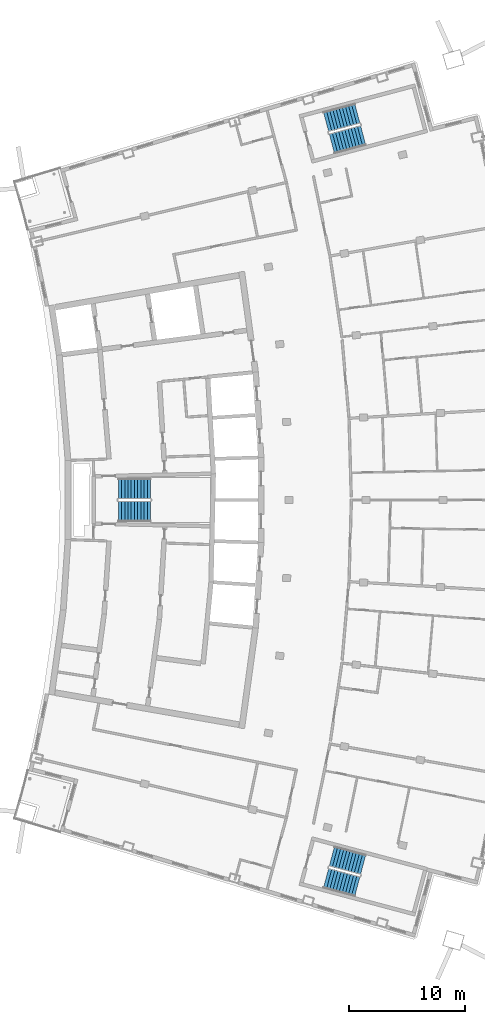
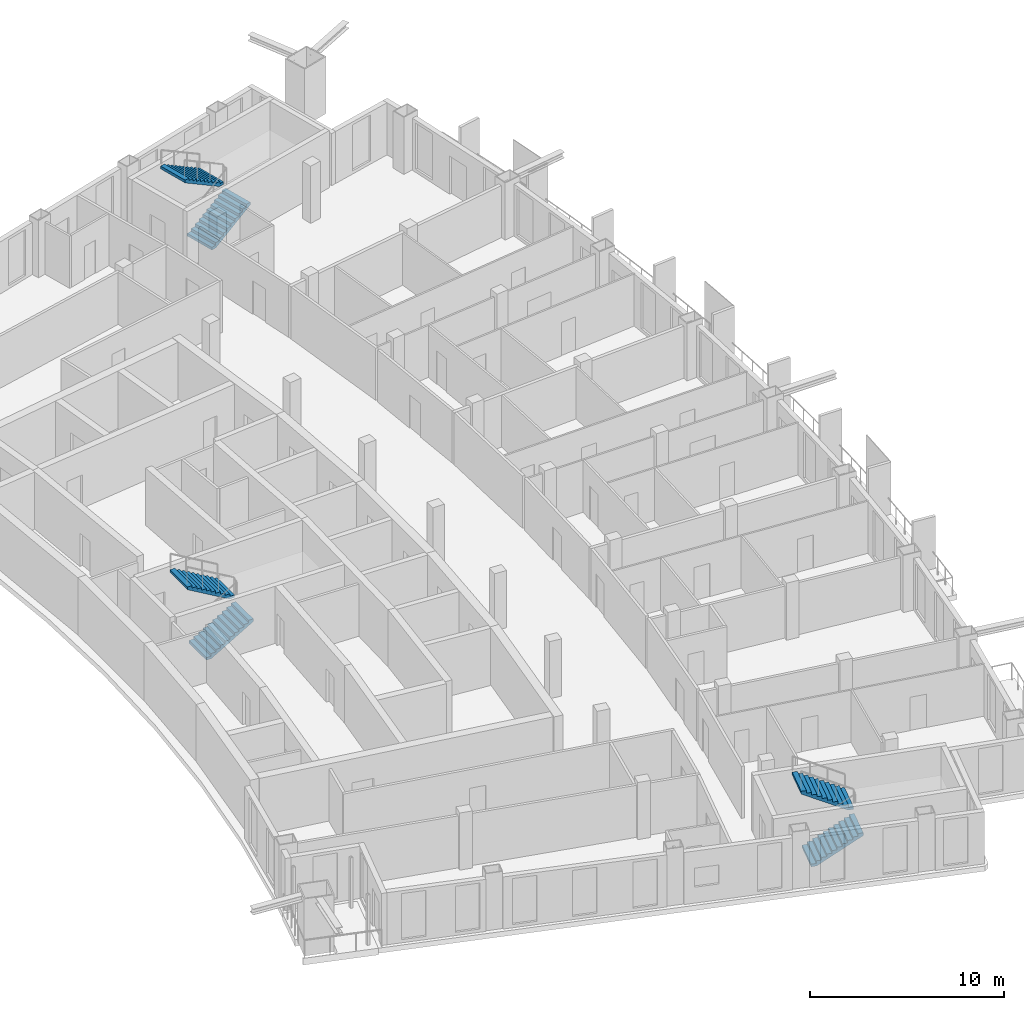
# One storey, part 12 of 15: 6 stair flights, 3 elements without a shape of their own.
"""IFC4 building model written with IfcOpenShell, lengths in metres."""

from ifc_helpers import new_model, si_unit, direction, frame, origin, place, context, subcontext, project, spatial, polyline, outline, extrude, material, layer, layer_set, type_object, element, aggregate, save


model = new_model("IFC4")

# Units and contexts
model_context = context("Model", 3, precision=1e-05, world=origin(), true_north=direction((0.0, 1.0)))
body_context = subcontext(model_context, "Body", "Model", "MODEL_VIEW")
ifc_project = project(units=[si_unit("LENGTHUNIT", "METRE"), si_unit("AREAUNIT", "SQUARE_METRE"), si_unit("VOLUMEUNIT", "CUBIC_METRE"), si_unit("PLANEANGLEUNIT", "RADIAN"), si_unit("MASSUNIT", "GRAM", prefix="KILO")], contexts=[model_context])

# Site, building, storey
site_placement = place(None, origin())
site = spatial("IfcSite", under=ifc_project, at=site_placement, CompositionType="ELEMENT")
building_placement = place(site_placement, origin())
building = spatial("IfcBuilding", under=site, at=building_placement, Name="Alderwake Tower", CompositionType="ELEMENT")
storey_placement = place(building_placement, frame((0.0, 0.0, 285.199951171875)))
storey = spatial("IfcBuildingStorey", under=building, at=storey_placement, Name="L71", CompositionType="ELEMENT", Elevation=285.199951171875)

# Stair, stair flights
ifc_material_1 = material(Name="Concrete C40/50", Category="concrete")
stair_type = type_object("IfcStairType", Name="Core exit stair", PredefinedType="HALF_TURN_STAIR", material=ifc_material_1)
stair_1_placement = place(storey_placement, origin())
stair_1 = element("IfcStair", 1, at=stair_1_placement, inside=storey, type_object=stair_type, Name="L71 Exit Stair B", PredefinedType="HALF_TURN_STAIR")
ifc_material_2 = material(Name="Concrete C40/50", Category="concrete")
ifc_layer = layer(ifc_material_2, 0.14990234375)
ifc_layer_set = layer_set([ifc_layer], Name="Core stair flight")
stair_flight_type = type_object("IfcStairFlightType", Name="Core stair flight", PredefinedType="STRAIGHT", material=ifc_layer_set)
stair_flight_1_placement = place(storey_placement, frame((21.0400390625, 60.02490234375, 0.0), z_axis=(0.0, 0.0, 1.0), x_axis=(1.0, 0.0, 0.0)))
stair_flight_1 = element("IfcStairFlight", 2, at=stair_flight_1_placement, type_object=stair_flight_type, Name="ST-B flight 1", NumberOfRisers=11, NumberOfTreads=10, PredefinedType="STRAIGHT", RiserHeight=0.163636364, TreadLength=0.28, context=body_context, shape_type="SweptSolid", body=[
    extrude(outline(polyline([(0.0, 0.0), (0.0, 0.16357421875), (0.280029296875, 0.16357421875), (0.280029296875, 0.327392578125), (0.56005859375, 0.327392578125), (0.56005859375, 0.490966796875), (0.840087890625, 0.490966796875), (0.840087890625, 0.654541015625), (1.1201171875, 0.654541015625), (1.1201171875, 0.818115234375), (1.39990234375, 0.818115234375), (1.39990234375, 0.98193359375), (1.679931640625, 0.98193359375), (1.679931640625, 1.1455078125), (1.9599609375, 1.1455078125), (1.9599609375, 1.30908203125), (2.239990234375, 1.30908203125), (2.239990234375, 1.47265625), (2.52001953125, 1.47265625), (2.52001953125, 1.636474609375), (2.800048828125, 1.636474609375), (2.800048828125, 1.800048828125), (2.800048828125, 1.462646484375), (0.297119140625, 0.0), (0.0, 0.0)])), frame((0.0, 0.89990234375, 0.0), z_axis=(0.0, -1.0, 0.0), x_axis=(1.0, 0.0, 0.0)), (0.0, 0.0, 1.0), 1.800048828125),
])
stair_flight_2_placement = place(storey_placement, frame((23.840087890625, 61.97509765625, 1.800048828125), z_axis=(0.0, 0.0, 1.0), x_axis=(-1.0, 0.0, 0.0)))
stair_flight_2 = element("IfcStairFlight", 3, at=stair_flight_2_placement, type_object=stair_flight_type, Name="ST-B flight 2", NumberOfRisers=11, NumberOfTreads=10, PredefinedType="STRAIGHT", RiserHeight=0.163636364, TreadLength=0.28, context=body_context, shape_type="SweptSolid", body=[
    extrude(outline(polyline([(0.0, 0.0), (0.0, 0.16357421875), (0.280029296875, 0.16357421875), (0.280029296875, 0.327392578125), (0.56005859375, 0.327392578125), (0.56005859375, 0.490966796875), (0.840087890625, 0.490966796875), (0.840087890625, 0.654541015625), (1.1201171875, 0.654541015625), (1.1201171875, 0.818115234375), (1.39990234375, 0.818115234375), (1.39990234375, 0.98193359375), (1.679931640625, 0.98193359375), (1.679931640625, 1.1455078125), (1.9599609375, 1.1455078125), (1.9599609375, 1.30908203125), (2.239990234375, 1.30908203125), (2.239990234375, 1.47265625), (2.52001953125, 1.47265625), (2.52001953125, 1.636474609375), (2.800048828125, 1.636474609375), (2.800048828125, 1.800048828125), (2.800048828125, 1.462646484375), (0.297119140625, 0.0), (0.0, 0.0)])), frame((0.0, 0.89990234375, 0.0), z_axis=(0.0, -1.0, 0.0), x_axis=(1.0, 0.0, 0.0)), (0.0, 0.0, 1.0), 1.800048828125),
])
aggregate(stair_1, [stair_flight_1, stair_flight_2])

stair_2_placement = place(storey_placement, origin())
stair_2 = element("IfcStair", 4, at=stair_2_placement, inside=storey, type_object=stair_type, Name="L71 Exit Stair A", PredefinedType="HALF_TURN_STAIR")
stair_flight_3_placement = place(storey_placement, frame((39.512939453125, 91.823974609375, 0.0), z_axis=(0.0, 0.0, 1.0), x_axis=(0.966309627437, 0.257382407951, 0.0)))
stair_flight_3 = element("IfcStairFlight", 5, at=stair_flight_3_placement, type_object=stair_flight_type, Name="ST-A flight 1", NumberOfRisers=11, NumberOfTreads=10, PredefinedType="STRAIGHT", RiserHeight=0.163636364, TreadLength=0.28, context=body_context, shape_type="SweptSolid", body=[
    extrude(outline(polyline([(0.0, 0.0), (0.0, 0.16357421875), (0.280029296875, 0.16357421875), (0.280029296875, 0.327392578125), (0.56005859375, 0.327392578125), (0.56005859375, 0.490966796875), (0.840087890625, 0.490966796875), (0.840087890625, 0.654541015625), (1.1201171875, 0.654541015625), (1.1201171875, 0.818115234375), (1.39990234375, 0.818115234375), (1.39990234375, 0.98193359375), (1.679931640625, 0.98193359375), (1.679931640625, 1.1455078125), (1.9599609375, 1.1455078125), (1.9599609375, 1.30908203125), (2.239990234375, 1.30908203125), (2.239990234375, 1.47265625), (2.52001953125, 1.47265625), (2.52001953125, 1.636474609375), (2.800048828125, 1.636474609375), (2.800048828125, 1.800048828125), (2.800048828125, 1.462646484375), (0.297119140625, 0.0), (0.0, 0.0)])), frame((0.0, 0.89990234375, 0.0), z_axis=(0.0, -1.0, 0.0), x_axis=(1.0, 0.0, 0.0)), (0.0, 0.0, 1.0), 1.800048828125),
])
stair_flight_4_placement = place(storey_placement, frame((41.716796875, 94.428955078125, 1.800048828125), z_axis=(0.0, 0.0, 1.0), x_axis=(-0.966309627437, -0.257382407951, 0.0)))
stair_flight_4 = element("IfcStairFlight", 6, at=stair_flight_4_placement, type_object=stair_flight_type, Name="ST-A flight 2", NumberOfRisers=11, NumberOfTreads=10, PredefinedType="STRAIGHT", RiserHeight=0.163636364, TreadLength=0.28, context=body_context, shape_type="SweptSolid", body=[
    extrude(outline(polyline([(0.0, 0.0), (0.0, 0.16357421875), (0.280029296875, 0.16357421875), (0.280029296875, 0.327392578125), (0.56005859375, 0.327392578125), (0.56005859375, 0.490966796875), (0.840087890625, 0.490966796875), (0.840087890625, 0.654541015625), (1.1201171875, 0.654541015625), (1.1201171875, 0.818115234375), (1.39990234375, 0.818115234375), (1.39990234375, 0.98193359375), (1.679931640625, 0.98193359375), (1.679931640625, 1.1455078125), (1.9599609375, 1.1455078125), (1.9599609375, 1.30908203125), (2.239990234375, 1.30908203125), (2.239990234375, 1.47265625), (2.52001953125, 1.47265625), (2.52001953125, 1.636474609375), (2.800048828125, 1.636474609375), (2.800048828125, 1.800048828125), (2.800048828125, 1.462646484375), (0.297119140625, 0.0), (0.0, 0.0)])), frame((0.0, 0.89990234375, 0.0), z_axis=(0.0, -1.0, 0.0), x_axis=(1.0, 0.0, 0.0)), (0.0, 0.0, 1.0), 1.800048828125),
])
aggregate(stair_2, [stair_flight_3, stair_flight_4])

stair_3_placement = place(storey_placement, origin())
stair_3 = element("IfcStair", 7, at=stair_3_placement, inside=storey, type_object=stair_type, Name="L71 Exit Stair C", PredefinedType="HALF_TURN_STAIR")
stair_flight_5_placement = place(storey_placement, frame((39.010986328125, 28.291748046875, 0.0), z_axis=(0.0, 0.0, 1.0), x_axis=(0.966309627437, -0.257382407951, 0.0)))
stair_flight_5 = element("IfcStairFlight", 8, at=stair_flight_5_placement, type_object=stair_flight_type, Name="ST-C flight 1", NumberOfRisers=11, NumberOfTreads=10, PredefinedType="STRAIGHT", RiserHeight=0.163636364, TreadLength=0.28, context=body_context, shape_type="SweptSolid", body=[
    extrude(outline(polyline([(0.0, 0.0), (0.0, 0.16357421875), (0.280029296875, 0.16357421875), (0.280029296875, 0.327392578125), (0.56005859375, 0.327392578125), (0.56005859375, 0.490966796875), (0.840087890625, 0.490966796875), (0.840087890625, 0.654541015625), (1.1201171875, 0.654541015625), (1.1201171875, 0.818115234375), (1.39990234375, 0.818115234375), (1.39990234375, 0.98193359375), (1.679931640625, 0.98193359375), (1.679931640625, 1.1455078125), (1.9599609375, 1.1455078125), (1.9599609375, 1.30908203125), (2.239990234375, 1.30908203125), (2.239990234375, 1.47265625), (2.52001953125, 1.47265625), (2.52001953125, 1.636474609375), (2.800048828125, 1.636474609375), (2.800048828125, 1.800048828125), (2.800048828125, 1.462646484375), (0.297119140625, 0.0), (0.0, 0.0)])), frame((0.0, 0.89990234375, 0.0), z_axis=(0.0, -1.0, 0.0), x_axis=(1.0, 0.0, 0.0)), (0.0, 0.0, 1.0), 1.800048828125),
])
stair_flight_6_placement = place(storey_placement, frame((42.218505859375, 29.455322265625, 1.800048828125), z_axis=(0.0, 0.0, 1.0), x_axis=(-0.966309627437, 0.257382407951, 0.0)))
stair_flight_6 = element("IfcStairFlight", 9, at=stair_flight_6_placement, type_object=stair_flight_type, Name="ST-C flight 2", NumberOfRisers=11, NumberOfTreads=10, PredefinedType="STRAIGHT", RiserHeight=0.163636364, TreadLength=0.28, context=body_context, shape_type="SweptSolid", body=[
    extrude(outline(polyline([(0.0, 0.0), (0.0, 0.16357421875), (0.280029296875, 0.16357421875), (0.280029296875, 0.327392578125), (0.56005859375, 0.327392578125), (0.56005859375, 0.490966796875), (0.840087890625, 0.490966796875), (0.840087890625, 0.654541015625), (1.1201171875, 0.654541015625), (1.1201171875, 0.818115234375), (1.39990234375, 0.818115234375), (1.39990234375, 0.98193359375), (1.679931640625, 0.98193359375), (1.679931640625, 1.1455078125), (1.9599609375, 1.1455078125), (1.9599609375, 1.30908203125), (2.239990234375, 1.30908203125), (2.239990234375, 1.47265625), (2.52001953125, 1.47265625), (2.52001953125, 1.636474609375), (2.800048828125, 1.636474609375), (2.800048828125, 1.800048828125), (2.800048828125, 1.462646484375), (0.297119140625, 0.0), (0.0, 0.0)])), frame((0.0, 0.89990234375, 0.0), z_axis=(0.0, -1.0, 0.0), x_axis=(1.0, 0.0, 0.0)), (0.0, 0.0, 1.0), 1.800048828125),
])
aggregate(stair_3, [stair_flight_5, stair_flight_6])

save(model, "model.ifc")
